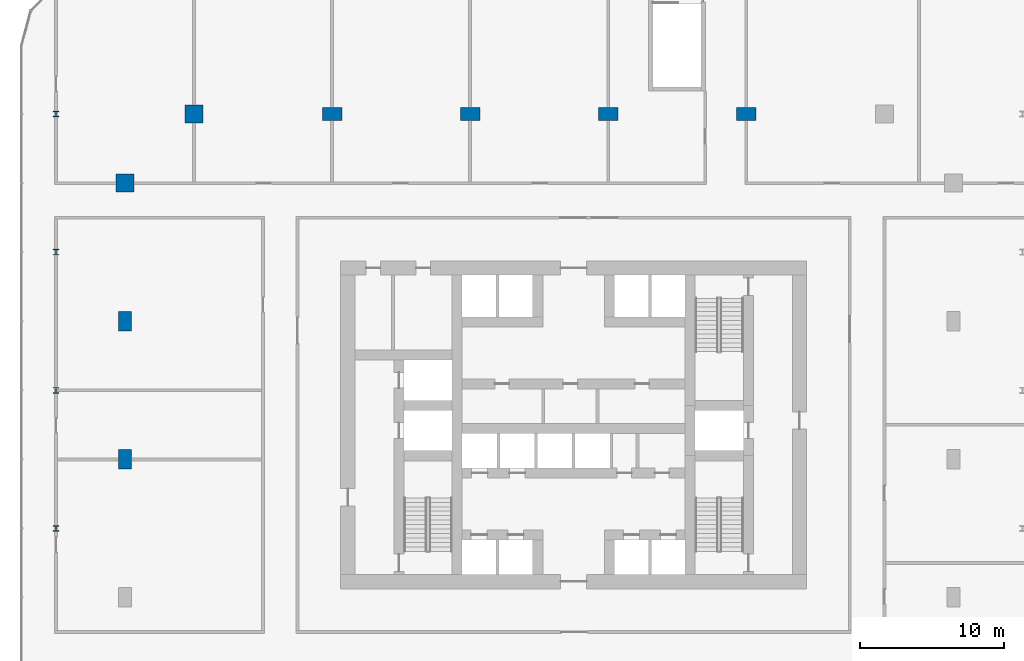
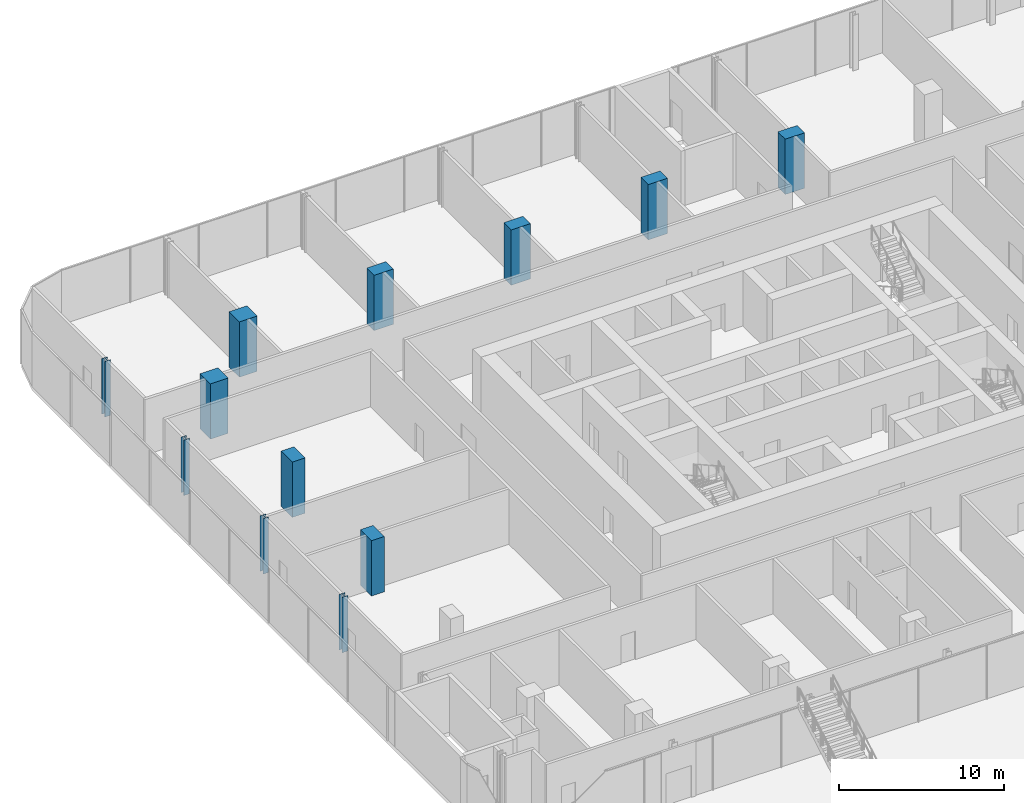
# One storey, part 2 of 32: 12 columns.
"""IFC4 building model written with IfcOpenShell, lengths in metres."""

from ifc_helpers import new_model, si_unit, direction, frame, origin, origin_2d, place, context, subcontext, project, spatial, rectangle, i_section, extrude, material, material_profile, profile_set, type_object, element, save


model = new_model("IFC4")

# Units and contexts
model_context = context("Model", 3, precision=1e-05, world=origin(), true_north=direction((0.0, 1.0)))
body_context = subcontext(model_context, "Body", "Model", "MODEL_VIEW")
ifc_project = project(units=[si_unit("LENGTHUNIT", "METRE"), si_unit("AREAUNIT", "SQUARE_METRE"), si_unit("VOLUMEUNIT", "CUBIC_METRE"), si_unit("PLANEANGLEUNIT", "RADIAN"), si_unit("MASSUNIT", "GRAM", prefix="KILO")], contexts=[model_context])

# Site, building, storey
site_placement = place(None, origin())
site = spatial("IfcSite", under=ifc_project, at=site_placement, CompositionType="ELEMENT")
building_placement = place(site_placement, origin())
building = spatial("IfcBuilding", under=site, at=building_placement, Name="Madar Terraces", CompositionType="ELEMENT")
storey_placement = place(building_placement, frame((0.0, 0.0, 19.5)))
storey = spatial("IfcBuildingStorey", under=building, at=storey_placement, Name="L04", CompositionType="ELEMENT", Elevation=19.5)

# Columns
ifc_material_1 = material(Name="Concrete C80/95", Category="concrete")
ifc_material_profile_1 = material_profile(ifc_material_1, rectangle(XDim=1.35009765625, YDim=0.89990234375, at=origin_2d()), Name="CC1 RC 1350x900")
ifc_profile_set_1 = profile_set([ifc_material_profile_1], Name="Concrete C80/95")
column_type_1 = type_object("IfcColumnType", Name="CC1 RC 1350x900", PredefinedType="COLUMN", material=ifc_profile_set_1)
for number, where, z_axis, x_axis, name in (
    (1, (43.199951171875, 48.0, 0.0), (0.0, 0.0, 1.0), (1.0, 0.0, 0.0), "Perimeter column N2"),
    (2, (33.60009765625, 48.0, 0.0), (0.0, 0.0, 1.0), (1.0, 0.0, 0.0), "Perimeter column N3"),
    (3, (24.0, 48.0, 0.0), (0.0, 0.0, 1.0), (1.0, 0.0, 0.0), "Perimeter column N4"),
    (4, (14.39990234375, 48.0, 0.0), (0.0, 0.0, 1.0), (1.0, 0.0, 0.0), "Perimeter column N5"),
    (5, (0.0, 33.60009765625, 0.0), (0.0, 0.0, 1.0), (0.0, 1.0, 0.0), "Perimeter column W2"),
    (6, (0.0, 24.0, 0.0), (0.0, 0.0, 1.0), (0.0, 1.0, 0.0), "Perimeter column W3"),
):
    element("IfcColumn", number, at=place(storey_placement, frame(where, z_axis=z_axis, x_axis=x_axis)), inside=storey, type_object=column_type_1, Name=name, PredefinedType="COLUMN", context=body_context, shape_type="SweptSolid", body=[
        extrude(rectangle(XDim=1.35009765625, YDim=0.89990234375, at=origin_2d()), origin(), (0.0, 0.0, 1.0), 4.10009765625),
    ])
ifc_material_2 = material(Name="Concrete C80/95", Category="concrete")
ifc_material_profile_2 = material_profile(ifc_material_2, rectangle(XDim=1.25, YDim=1.25, at=origin_2d()), Name="KC1 RC 1250x1250")
ifc_profile_set_2 = profile_set([ifc_material_profile_2], Name="Concrete C80/95")
column_type_2 = type_object("IfcColumnType", Name="KC1 RC 1250x1250", PredefinedType="COLUMN", material=ifc_profile_set_2)
for number, where, z_axis, x_axis, name in (
    (7, (4.800048828125, 48.0, 0.0), (0.0, 0.0, 1.0), (1.0, 0.0, 0.0), "Perimeter column N6"),
    (8, (0.0, 43.199951171875, 0.0), (0.0, 0.0, 1.0), (1.0, 0.0, 0.0), "Perimeter column W1"),
):
    element("IfcColumn", number, at=place(storey_placement, frame(where, z_axis=z_axis, x_axis=x_axis)), inside=storey, type_object=column_type_2, Name=name, PredefinedType="COLUMN", context=body_context, shape_type="SweptSolid", body=[
        extrude(rectangle(XDim=1.25, YDim=1.25, at=origin_2d()), origin(), (0.0, 0.0, 1.0), 4.10009765625),
    ])
ifc_material_3 = material(Name="Steel ASTM A992 Grade 50", Category="steel")
ifc_material_profile_3 = material_profile(ifc_material_3, i_section(OverallWidth=0.396240234375, OverallDepth=0.381103515625, WebThickness=0.01904296875, FlangeThickness=0.0302734375, at=origin_2d()), Name="W14x159")
ifc_profile_set_3 = profile_set([ifc_material_profile_3], Name="Steel ASTM A992 Grade 50")
column_type_3 = type_object("IfcColumnType", Name="PC2 W14x159", PredefinedType="COLUMN", material=ifc_profile_set_3)
for number, where, z_axis, x_axis, name in (
    (9, (-4.800048828125, 19.199951171875, 0.0), (0.0, 0.0, 1.0), (1.0, 0.0, 0.0), "Podium column PC2"),
    (10, (-4.800048828125, 28.800048828125, 0.0), (0.0, 0.0, 1.0), (1.0, 0.0, 0.0), "Podium column PC2"),
    (11, (-4.800048828125, 38.39990234375, 0.0), (0.0, 0.0, 1.0), (1.0, 0.0, 0.0), "Podium column PC2"),
    (12, (-4.800048828125, 48.0, 0.0), (0.0, 0.0, 1.0), (1.0, 0.0, 0.0), "Podium column PC2"),
):
    element("IfcColumn", number, at=place(storey_placement, frame(where, z_axis=z_axis, x_axis=x_axis)), inside=storey, type_object=column_type_3, Name=name, PredefinedType="COLUMN", context=body_context, shape_type="SweptSolid", body=[
        extrude(i_section(OverallWidth=0.396240234375, OverallDepth=0.381103515625, WebThickness=0.01904296875, FlangeThickness=0.0302734375, at=origin_2d()), origin(), (0.0, 0.0, 1.0), 4.10009765625),
    ])

save(model, "model.ifc")
